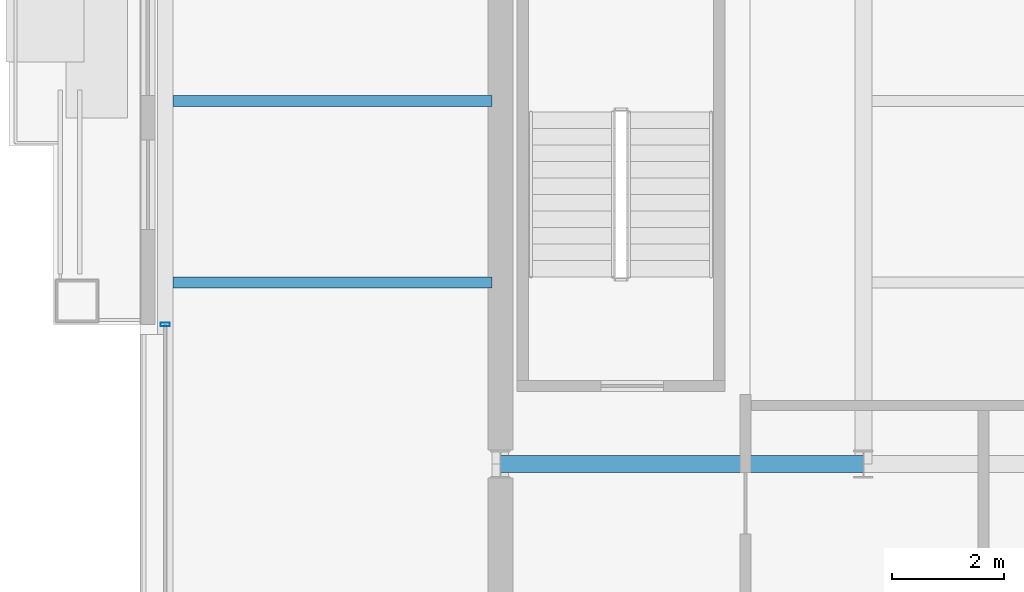
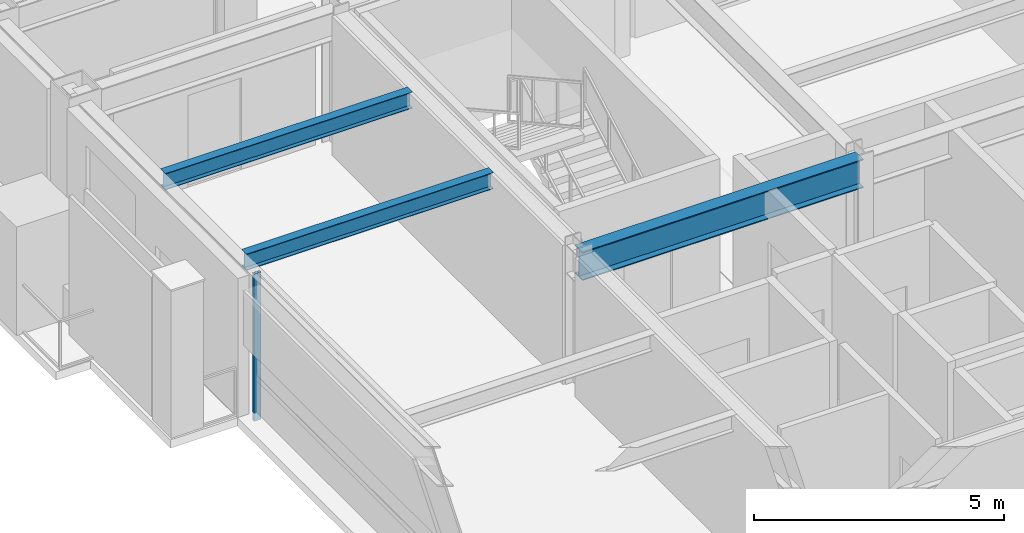
# One storey, part 11 of 32: 3 beams, 1 member, 1 element without a shape of its own.
"""IFC4 building model written with IfcOpenShell, lengths in metres."""

from ifc_helpers import new_model, si_unit, direction, frame, origin, origin_2d, place, context, subcontext, project, spatial, hollow_rectangle, i_section, extrude, material, layer, layer_set, material_profile, profile_set, type_object, element, aggregate, save


model = new_model("IFC4")

# Units and contexts
model_context = context("Model", 3, precision=1e-05, world=origin(), true_north=direction((0.0, 1.0)))
body_context = subcontext(model_context, "Body", "Model", "MODEL_VIEW")
ifc_project = project(units=[si_unit("LENGTHUNIT", "METRE"), si_unit("AREAUNIT", "SQUARE_METRE"), si_unit("VOLUMEUNIT", "CUBIC_METRE"), si_unit("PLANEANGLEUNIT", "RADIAN"), si_unit("MASSUNIT", "GRAM", prefix="KILO")], contexts=[model_context])

# Site, building, storey
site_placement = place(None, origin())
site = spatial("IfcSite", under=ifc_project, at=site_placement, CompositionType="ELEMENT")
building_placement = place(site_placement, origin())
building = spatial("IfcBuilding", under=site, at=building_placement, Name="Brelmoor Portico Tower", CompositionType="ELEMENT")
storey_placement = place(building_placement, frame((0.0, 0.0, 162.300048828125)))
storey = spatial("IfcBuildingStorey", under=building, at=storey_placement, Name="L42", CompositionType="ELEMENT", Elevation=162.300048828125)

# Beams
ifc_material_1 = material(Name="Steel Q355B", Category="steel")
ifc_material_profile_1 = material_profile(ifc_material_1, i_section(OverallWidth=0.199951171875, OverallDepth=0.39990234375, WebThickness=0.008056640625, FlangeThickness=0.012939453125, at=origin_2d()), Name="HN 400x200x8x13")
ifc_profile_set_1 = profile_set([ifc_material_profile_1], Name="Steel Q355B")
beam_type_1 = type_object("IfcBeamType", Name="BM-JS-400", PredefinedType="JOIST", material=ifc_profile_set_1)
for number, where, z_axis, x_axis, name in (
    (1, (-20.409912109375, 3.25, 3.199951171875), (1.0, 0.0, 0.0), (0.0, 1.0, 0.0), "L42 Secondary Wing Joist JS-W07"),
    (2, (-20.409912109375, 6.5, 3.199951171875), (1.0, 0.0, 0.0), (0.0, 1.0, 0.0), "L42 Secondary Wing Joist JS-W08"),
):
    element("IfcBeam", number, at=place(storey_placement, frame(where, z_axis=z_axis, x_axis=x_axis)), inside=storey, type_object=beam_type_1, Name=name, PredefinedType="JOIST", context=body_context, shape_type="SweptSolid", body=[
        extrude(i_section(OverallWidth=0.199951171875, OverallDepth=0.39990234375, WebThickness=0.008056640625, FlangeThickness=0.012939453125, at=origin_2d()), origin(), (0.0, 0.0, 1.0), 5.7099609375),
    ])
ifc_material_profile_2 = material_profile(ifc_material_1, i_section(OverallWidth=0.300048828125, OverallDepth=0.699951171875, WebThickness=0.012939453125, FlangeThickness=0.02392578125, at=origin_2d()), Name="HN 700x300x13x24")
ifc_profile_set_2 = profile_set([ifc_material_profile_2], Name="Steel Q355B")
beam_type_2 = type_object("IfcBeamType", Name="BM-PG-700", PredefinedType="BEAM", material=ifc_profile_set_2)
beam_placement = place(storey_placement, frame((-14.550048828125, 0.0, 3.050048828125), z_axis=(1.0, 0.0, 0.0), x_axis=(0.0, 1.0, 0.0)))
element("IfcBeam", 3, at=beam_placement, inside=storey, type_object=beam_type_2, Name="L42 Primary Floor Girder PG-16", PredefinedType="BEAM", context=body_context, shape_type="SweptSolid", body=[
    extrude(i_section(OverallWidth=0.300048828125, OverallDepth=0.699951171875, WebThickness=0.012939453125, FlangeThickness=0.02392578125, at=origin_2d()), origin(), (0.0, 0.0, 1.0), 6.5),
])

# Curtain wall, member
ifc_material_2 = material(Name="Anodised Aluminium Alloy 6063-T6", Category="aluminium")
ifc_layer = layer(ifc_material_2, 0.179931640625)
ifc_layer_set = layer_set([ifc_layer], Name="Anodised Aluminium Alloy 6063-T6")
curtain_wall_type = type_object("IfcCurtainWallType", Name="CW-TOWER-Z3", PredefinedType="NOTDEFINED", material=ifc_layer_set)
curtain_wall_placement = place(storey_placement, origin())
curtain_wall = element("IfcCurtainWall", 4, at=curtain_wall_placement, inside=storey, type_object=curtain_wall_type, Name="L42 Curtain Wall CW-L42-3L-2", PredefinedType="NOTDEFINED")
ifc_material_profile_3 = material_profile(ifc_material_2, hollow_rectangle(XDim=0.06494140625, YDim=0.1650390625, WallThickness=0.00390625, at=origin_2d()), Name="ALU MULLION 65x165")
ifc_profile_set_3 = profile_set([ifc_material_profile_3], Name="Anodised Aluminium Alloy 6063-T6")
member_type = type_object("IfcMemberType", Name="MB-CW-MULL-165", PredefinedType="MULLION", material=ifc_profile_set_3)
member_placement = place(storey_placement, frame((-20.550048828125, 2.5, -0.199951171875), z_axis=(0.0, 0.0, 1.0), x_axis=(0.0, 1.0, 0.0)))
member = element("IfcMember", 5, at=member_placement, type_object=member_type, Name="CW-L42-3L-2 Mullion 01", PredefinedType="MULLION", context=body_context, shape_type="SweptSolid", body=[
    extrude(hollow_rectangle(XDim=0.06494140625, YDim=0.1650390625, WallThickness=0.00390625, at=origin_2d()), origin(), (0.0, 0.0, 1.0), 3.599853515625),
])
aggregate(curtain_wall, [member])

save(model, "model.ifc")
